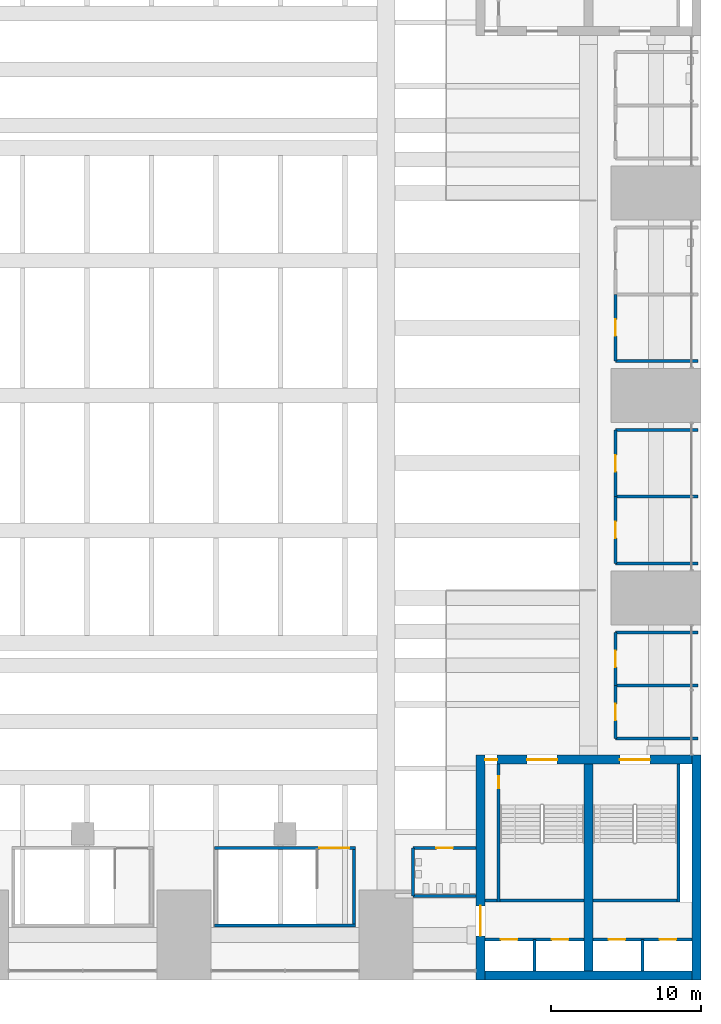
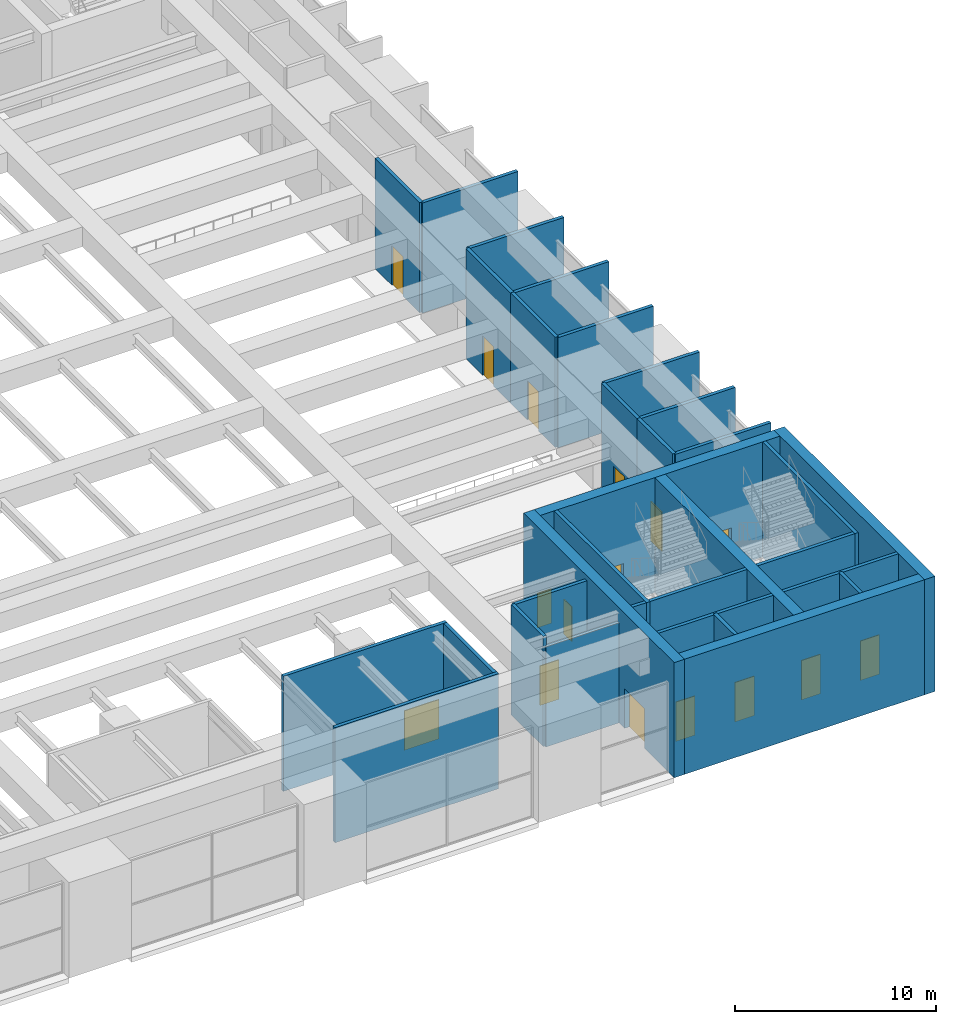
# One storey, part 28 of 45: 32 walls, 16 doors, 16 openings.
"""IFC4 building model written with IfcOpenShell, lengths in metres."""

from ifc_helpers import new_model, si_unit, direction, frame, frame_2d, origin, place, context, subcontext, project, spatial, rectangle, extrude, material, layer, layer_set, type_object, element, fill, save


model = new_model("IFC4")

# Units and contexts
model_context = context("Model", 3, precision=1e-05, world=origin(), true_north=direction((0.0, 1.0)))
body_context = subcontext(model_context, "Body", "Model", "MODEL_VIEW")
ifc_project = project(units=[si_unit("LENGTHUNIT", "METRE"), si_unit("AREAUNIT", "SQUARE_METRE"), si_unit("VOLUMEUNIT", "CUBIC_METRE"), si_unit("PLANEANGLEUNIT", "RADIAN"), si_unit("MASSUNIT", "GRAM", prefix="KILO")], contexts=[model_context])

# Site, building, storey
site_placement = place(None, origin())
site = spatial("IfcSite", under=ifc_project, at=site_placement, CompositionType="ELEMENT")
building_placement = place(site_placement, origin())
building = spatial("IfcBuilding", under=site, at=building_placement, Name="Corbelhall Arena Tower", CompositionType="ELEMENT")
storey_placement = place(building_placement, frame((0.0, 0.0, 37.0)))
storey = spatial("IfcBuildingStorey", under=building, at=storey_placement, Name="L05", CompositionType="ELEMENT", Elevation=37.0)

# Wall, opening, door
ifc_material_1 = material(Name="Gypsum board on steel studs", Category="steel")
ifc_layer_1 = layer(ifc_material_1, 0.199951171875)
ifc_layer_set_1 = layer_set([ifc_layer_1], Name="AR-ROOM-WALL")
wall_type_1 = type_object("IfcWallType", Name="AR-ROOM-WALL", PredefinedType="PARTITIONING", material=ifc_layer_set_1)
wall_1_placement = place(storey_placement, frame((42.300048828125, 2.300048828125, 0.0), z_axis=(0.0, 0.0, 1.0), x_axis=(0.0, 1.0, 0.0)))
wall_1 = element("IfcWall", 1, at=wall_1_placement, inside=storey, type_object=wall_type_1, Name="Press office 1 wall", PredefinedType="PARTITIONING", context=body_context, shape_type="SweptSolid", body=[
    extrude(rectangle(XDim=4.449951171875, YDim=0.199951171875, at=frame_2d((2.22509765625, 0.0))), origin(), (0.0, 0.0, 1.0), 6.699951171875),
])
opening_1_placement = place(wall_1_placement, frame((1.675048828125, 0.0, 0.0)))
opening_1 = element("IfcOpeningElement", 2, at=opening_1_placement, cuts=wall_1, Name="Opening DA0439", PredefinedType="OPENING", context=body_context, shape_type="SweptSolid", body=[
    extrude(rectangle(XDim=1.10009765625, YDim=2.39990234375, at=frame_2d((0.550048828125, 1.199951171875))), frame((0.0, 0.10009765625, 0.0), z_axis=(0.0, -1.0, 0.0), x_axis=(1.0, 0.0, 0.0)), (0.0, 0.0, 1.0), 0.199951171875),
])
ifc_material_2 = material(Name="Timber", Category="wood")
door_type_1 = type_object("IfcDoorType", Name="AR-ROOM-DOOR", OperationType="DOUBLE_DOOR_SINGLE_SWING", PredefinedType="DOOR", material=ifc_material_2)
door_1_placement = place(opening_1_placement, origin())
door_1 = element("IfcDoor", 3, at=door_1_placement, inside=storey, type_object=door_type_1, Name="Press office 1 door", OperationType="DOUBLE_DOOR_SINGLE_SWING", OverallHeight=2.39990234375, OverallWidth=1.10009765625, PredefinedType="DOOR", context=body_context, shape_type="SweptSolid", body=[
    extrude(rectangle(XDim=1.10009765625, YDim=2.39990234375, at=frame_2d((0.550048828125, 1.199951171875))), frame((0.0, 0.02490234375, 0.0), z_axis=(0.0, -1.0, 0.0), x_axis=(1.0, 0.0, 0.0)), (0.0, 0.0, 1.0), 0.050048828125),
])
fill(opening_1, door_1)

# Wall
wall_2_placement = place(storey_placement, frame((42.300048828125, 2.300048828125, 0.0), z_axis=(0.0, 0.0, 1.0), x_axis=(1.0, 0.0, 0.0)))
element("IfcWall", 4, at=wall_2_placement, inside=storey, type_object=wall_type_1, Name="Press office 1 end wall", PredefinedType="PARTITIONING", context=body_context, shape_type="SweptSolid", body=[
    extrude(rectangle(XDim=5.5, YDim=0.199951171875, at=frame_2d((2.75, 0.0))), origin(), (0.0, 0.0, 1.0), 6.699951171875),
])

# Wall, opening, door
wall_3_placement = place(storey_placement, frame((42.300048828125, -11.199951171875, 0.0), z_axis=(0.0, 0.0, 1.0), x_axis=(0.0, 1.0, 0.0)))
wall_3 = element("IfcWall", 5, at=wall_3_placement, inside=storey, type_object=wall_type_1, Name="Press office 2 wall", PredefinedType="PARTITIONING", context=body_context, shape_type="SweptSolid", body=[
    extrude(rectangle(XDim=4.449951171875, YDim=0.199951171875, at=frame_2d((2.22509765625, 0.0))), origin(), (0.0, 0.0, 1.0), 6.699951171875),
])
opening_2_placement = place(wall_3_placement, frame((1.675048828125, 0.0, 0.0)))
opening_2 = element("IfcOpeningElement", 6, at=opening_2_placement, cuts=wall_3, Name="Opening DA0441", PredefinedType="OPENING", context=body_context, shape_type="SweptSolid", body=[
    extrude(rectangle(XDim=1.10009765625, YDim=2.39990234375, at=frame_2d((0.550048828125, 1.199951171875))), frame((0.0, 0.10009765625, 0.0), z_axis=(0.0, -1.0, 0.0), x_axis=(1.0, 0.0, 0.0)), (0.0, 0.0, 1.0), 0.199951171875),
])
door_2_placement = place(opening_2_placement, origin())
door_2 = element("IfcDoor", 7, at=door_2_placement, inside=storey, type_object=door_type_1, Name="Press office 2 door", OperationType="DOUBLE_DOOR_SINGLE_SWING", OverallHeight=2.39990234375, OverallWidth=1.10009765625, PredefinedType="DOOR", context=body_context, shape_type="SweptSolid", body=[
    extrude(rectangle(XDim=1.10009765625, YDim=2.39990234375, at=frame_2d((0.550048828125, 1.199951171875))), frame((0.0, 0.02490234375, 0.0), z_axis=(0.0, -1.0, 0.0), x_axis=(1.0, 0.0, 0.0)), (0.0, 0.0, 1.0), 0.050048828125),
])
fill(opening_2, door_2)

# Walls
for number, where, z_axis, x_axis, name in (
    (8, (42.300048828125, -11.199951171875, 0.0), (0.0, 0.0, 1.0), (1.0, 0.0, 0.0), "Press office 2 end wall"),
    (9, (42.300048828125, -6.75, 0.0), (0.0, 0.0, 1.0), (1.0, 0.0, 0.0), "Press office 2 partition"),
):
    element("IfcWall", number, at=place(storey_placement, frame(where, z_axis=z_axis, x_axis=x_axis)), inside=storey, type_object=wall_type_1, Name=name, PredefinedType="PARTITIONING", context=body_context, shape_type="SweptSolid", body=[
        extrude(rectangle(XDim=5.5, YDim=0.199951171875, at=frame_2d((2.75, 0.0))), origin(), (0.0, 0.0, 1.0), 6.699951171875),
    ])

# Wall, opening, door
wall_4_placement = place(storey_placement, frame((42.300048828125, -6.75, 0.0), z_axis=(0.0, 0.0, 1.0), x_axis=(0.0, 1.0, 0.0)))
wall_4 = element("IfcWall", 10, at=wall_4_placement, inside=storey, type_object=wall_type_1, Name="Broadcast office 1 wall", PredefinedType="PARTITIONING", context=body_context, shape_type="SweptSolid", body=[
    extrude(rectangle(XDim=4.449951171875, YDim=0.199951171875, at=frame_2d((2.22509765625, 0.0))), origin(), (0.0, 0.0, 1.0), 6.699951171875),
])
opening_3_placement = place(wall_4_placement, frame((1.675048828125, 0.0, 0.0)))
opening_3 = element("IfcOpeningElement", 11, at=opening_3_placement, cuts=wall_4, Name="Opening DA0442", PredefinedType="OPENING", context=body_context, shape_type="SweptSolid", body=[
    extrude(rectangle(XDim=1.10009765625, YDim=2.39990234375, at=frame_2d((0.550048828125, 1.199951171875))), frame((0.0, 0.10009765625, 0.0), z_axis=(0.0, -1.0, 0.0), x_axis=(1.0, 0.0, 0.0)), (0.0, 0.0, 1.0), 0.199951171875),
])
door_3_placement = place(opening_3_placement, origin())
door_3 = element("IfcDoor", 12, at=door_3_placement, inside=storey, type_object=door_type_1, Name="Broadcast office 1 door", OperationType="DOUBLE_DOOR_SINGLE_SWING", OverallHeight=2.39990234375, OverallWidth=1.10009765625, PredefinedType="DOOR", context=body_context, shape_type="SweptSolid", body=[
    extrude(rectangle(XDim=1.10009765625, YDim=2.39990234375, at=frame_2d((0.550048828125, 1.199951171875))), frame((0.0, 0.02490234375, 0.0), z_axis=(0.0, -1.0, 0.0), x_axis=(1.0, 0.0, 0.0)), (0.0, 0.0, 1.0), 0.050048828125),
])
fill(opening_3, door_3)

# Wall
wall_5_placement = place(storey_placement, frame((42.300048828125, -2.300048828125, 0.0), z_axis=(0.0, 0.0, 1.0), x_axis=(1.0, 0.0, 0.0)))
element("IfcWall", 13, at=wall_5_placement, inside=storey, type_object=wall_type_1, Name="Broadcast office 1 end wall", PredefinedType="PARTITIONING", context=body_context, shape_type="SweptSolid", body=[
    extrude(rectangle(XDim=5.5, YDim=0.199951171875, at=frame_2d((2.75, 0.0))), origin(), (0.0, 0.0, 1.0), 6.699951171875),
])

# Wall, opening, door
wall_6_placement = place(storey_placement, frame((42.300048828125, -22.89990234375, 0.0), z_axis=(0.0, 0.0, 1.0), x_axis=(0.0, 1.0, 0.0)))
wall_6 = element("IfcWall", 14, at=wall_6_placement, inside=storey, type_object=wall_type_1, Name="Broadcast office 2 wall", PredefinedType="PARTITIONING", context=body_context, shape_type="SweptSolid", body=[
    extrude(rectangle(XDim=3.5498046875, YDim=0.199951171875, at=frame_2d((1.77490234375, 0.0))), origin(), (0.0, 0.0, 1.0), 6.699951171875),
])
opening_4_placement = place(wall_6_placement, frame((1.22509765625, 0.0, 0.0)))
opening_4 = element("IfcOpeningElement", 15, at=opening_4_placement, cuts=wall_6, Name="Opening DA0445", PredefinedType="OPENING", context=body_context, shape_type="SweptSolid", body=[
    extrude(rectangle(XDim=1.10009765625, YDim=2.39990234375, at=frame_2d((0.550048828125, 1.199951171875))), frame((0.0, 0.10009765625, 0.0), z_axis=(0.0, -1.0, 0.0), x_axis=(1.0, 0.0, 0.0)), (0.0, 0.0, 1.0), 0.199951171875),
])
door_4_placement = place(opening_4_placement, origin())
door_4 = element("IfcDoor", 16, at=door_4_placement, inside=storey, type_object=door_type_1, Name="Broadcast office 2 door", OperationType="DOUBLE_DOOR_SINGLE_SWING", OverallHeight=2.39990234375, OverallWidth=1.10009765625, PredefinedType="DOOR", context=body_context, shape_type="SweptSolid", body=[
    extrude(rectangle(XDim=1.10009765625, YDim=2.39990234375, at=frame_2d((0.550048828125, 1.199951171875))), frame((0.0, 0.02490234375, 0.0), z_axis=(0.0, -1.0, 0.0), x_axis=(1.0, 0.0, 0.0)), (0.0, 0.0, 1.0), 0.050048828125),
])
fill(opening_4, door_4)

# Walls
for number, where, z_axis, x_axis, name in (
    (17, (42.300048828125, -22.89990234375, 0.0), (0.0, 0.0, 1.0), (1.0, 0.0, 0.0), "Broadcast office 2 end wall"),
    (18, (42.300048828125, -19.35009765625, 0.0), (0.0, 0.0, 1.0), (1.0, 0.0, 0.0), "Broadcast office 2 partition"),
):
    element("IfcWall", number, at=place(storey_placement, frame(where, z_axis=z_axis, x_axis=x_axis)), inside=storey, type_object=wall_type_1, Name=name, PredefinedType="PARTITIONING", context=body_context, shape_type="SweptSolid", body=[
        extrude(rectangle(XDim=5.5, YDim=0.199951171875, at=frame_2d((2.75, 0.0))), origin(), (0.0, 0.0, 1.0), 6.699951171875),
    ])

# Wall, opening, door
wall_7_placement = place(storey_placement, frame((42.300048828125, -19.35009765625, 0.0), z_axis=(0.0, 0.0, 1.0), x_axis=(0.0, 1.0, 0.0)))
wall_7 = element("IfcWall", 19, at=wall_7_placement, inside=storey, type_object=wall_type_1, Name="Press office 3 wall", PredefinedType="PARTITIONING", context=body_context, shape_type="SweptSolid", body=[
    extrude(rectangle(XDim=3.550048828125, YDim=0.199951171875, at=frame_2d((1.77490234375, 0.0))), origin(), (0.0, 0.0, 1.0), 6.699951171875),
])
opening_5_placement = place(wall_7_placement, frame((1.22509765625, 0.0, 0.0)))
opening_5 = element("IfcOpeningElement", 20, at=opening_5_placement, cuts=wall_7, Name="Opening DA0446", PredefinedType="OPENING", context=body_context, shape_type="SweptSolid", body=[
    extrude(rectangle(XDim=1.10009765625, YDim=2.39990234375, at=frame_2d((0.550048828125, 1.199951171875))), frame((0.0, 0.10009765625, 0.0), z_axis=(0.0, -1.0, 0.0), x_axis=(1.0, 0.0, 0.0)), (0.0, 0.0, 1.0), 0.199951171875),
])
door_5_placement = place(opening_5_placement, origin())
door_5 = element("IfcDoor", 21, at=door_5_placement, inside=storey, type_object=door_type_1, Name="Press office 3 door", OperationType="DOUBLE_DOOR_SINGLE_SWING", OverallHeight=2.39990234375, OverallWidth=1.10009765625, PredefinedType="DOOR", context=body_context, shape_type="SweptSolid", body=[
    extrude(rectangle(XDim=1.10009765625, YDim=2.39990234375, at=frame_2d((0.550048828125, 1.199951171875))), frame((0.0, 0.02490234375, 0.0), z_axis=(0.0, -1.0, 0.0), x_axis=(1.0, 0.0, 0.0)), (0.0, 0.0, 1.0), 0.050048828125),
])
fill(opening_5, door_5)

# Wall
wall_8_placement = place(storey_placement, frame((42.300048828125, -15.800048828125, 0.0), z_axis=(0.0, 0.0, 1.0), x_axis=(1.0, 0.0, 0.0)))
element("IfcWall", 22, at=wall_8_placement, inside=storey, type_object=wall_type_1, Name="Press office 3 end wall", PredefinedType="PARTITIONING", context=body_context, shape_type="SweptSolid", body=[
    extrude(rectangle(XDim=5.5, YDim=0.199951171875, at=frame_2d((2.75, 0.0))), origin(), (0.0, 0.0, 1.0), 6.699951171875),
])

# Wall, opening, door
wall_9_placement = place(storey_placement, frame((28.800048828125, -30.199951171875, 0.0), z_axis=(0.0, 0.0, 1.0), x_axis=(1.0, 0.0, 0.0)))
wall_9 = element("IfcWall", 23, at=wall_9_placement, inside=storey, type_object=wall_type_1, Name="Women's WC 3 wall", PredefinedType="PARTITIONING", context=body_context, shape_type="SweptSolid", body=[
    extrude(rectangle(XDim=4.199951171875, YDim=0.199951171875, at=frame_2d((2.10009765625, 0.0))), origin(), (0.0, 0.0, 1.0), 6.699951171875),
])
opening_6_placement = place(wall_9_placement, frame((1.550048828125, 0.0, 0.0)))
opening_6 = element("IfcOpeningElement", 24, at=opening_6_placement, cuts=wall_9, Name="Opening DA0457", PredefinedType="OPENING", context=body_context, shape_type="SweptSolid", body=[
    extrude(rectangle(XDim=1.10009765625, YDim=2.39990234375, at=frame_2d((0.550048828125, 1.199951171875))), frame((0.0, 0.10009765625, 0.0), z_axis=(0.0, -1.0, 0.0), x_axis=(1.0, 0.0, 0.0)), (0.0, 0.0, 1.0), 0.199951171875),
])
door_6_placement = place(opening_6_placement, origin())
door_6 = element("IfcDoor", 25, at=door_6_placement, inside=storey, type_object=door_type_1, Name="Women's WC 3 door", OperationType="DOUBLE_DOOR_SINGLE_SWING", OverallHeight=2.39990234375, OverallWidth=1.10009765625, PredefinedType="DOOR", context=body_context, shape_type="SweptSolid", body=[
    extrude(rectangle(XDim=1.10009765625, YDim=2.39990234375, at=frame_2d((0.550048828125, 1.199951171875))), frame((0.0, 0.02490234375, 0.0), z_axis=(0.0, -1.0, 0.0), x_axis=(1.0, 0.0, 0.0)), (0.0, 0.0, 1.0), 0.050048828125),
])
fill(opening_6, door_6)

# Walls
wall_10_placement = place(storey_placement, frame((28.800048828125, -33.39990234375, 0.0), z_axis=(0.0, 0.0, 1.0), x_axis=(0.0, 1.0, 0.0)))
element("IfcWall", 26, at=wall_10_placement, inside=storey, type_object=wall_type_1, Name="Women's WC 3 side wall", PredefinedType="PARTITIONING", context=body_context, shape_type="SweptSolid", body=[
    extrude(rectangle(XDim=3.199951171875, YDim=0.199951171875, at=frame_2d((1.60009765625, 0.0))), origin(), (0.0, 0.0, 1.0), 6.699951171875),
])
wall_11_placement = place(storey_placement, frame((33.60009765625, -33.699951171875, 0.0), z_axis=(0.0, 0.0, 1.0), x_axis=(1.0, 0.0, 0.0)))
element("IfcWall", 27, at=wall_11_placement, inside=storey, type_object=wall_type_1, Name="Electrical plant room 03 wall", PredefinedType="PARTITIONING", context=body_context, shape_type="SweptSolid", body=[
    extrude(rectangle(XDim=0.809814453125, YDim=0.199951171875, at=frame_2d((0.40478515625, 0.0))), origin(), (0.0, 0.0, 1.0), 7.0),
])
ifc_layer_2 = layer(ifc_material_1, 0.199951171875)
ifc_layer_set_2 = layer_set([ifc_layer_2], Name="AR-ROOM-WALL under beam 611 mm")
wall_type_2 = type_object("IfcWallType", Name="AR-ROOM-WALL under beam 611 mm", PredefinedType="PARTITIONING", material=ifc_layer_set_2)
wall_12_placement = place(storey_placement, frame((28.800048828125, -33.39990234375, 0.0), z_axis=(0.0, 0.0, 1.0), x_axis=(1.0, 0.0, 0.0)))
element("IfcWall", 28, at=wall_12_placement, inside=storey, type_object=wall_type_2, Name="Women's WC 3 far wall", PredefinedType="PARTITIONING", context=body_context, shape_type="SweptSolid", body=[
    extrude(rectangle(XDim=4.199951171875, YDim=0.199951171875, at=frame_2d((2.10009765625, 0.0))), origin(), (0.0, 0.0, 1.0), 6.089111328125),
])

# Wall, openings, doors
ifc_material_3 = material(Name="Reinforced concrete C40/50", Category="concrete")
ifc_layer_3 = layer(ifc_material_3, 0.199951171875)
ifc_layer_set_3 = layer_set([ifc_layer_3], Name="AR-SHAFT-WALL")
wall_type_3 = type_object("IfcWallType", Name="AR-SHAFT-WALL", PredefinedType="SHEAR", material=ifc_layer_set_3)
wall_13_placement = place(storey_placement, frame((33.60009765625, -36.300048828125, 0.0), z_axis=(0.0, 0.0, 1.0), x_axis=(1.0, 0.0, 0.0)))
wall_13 = element("IfcWall", 29, at=wall_13_placement, inside=storey, type_object=wall_type_3, Name="Lift lobby wall SE", PredefinedType="SHEAR", context=body_context, shape_type="SweptSolid", body=[
    extrude(rectangle(XDim=6.599853515625, YDim=0.199951171875, at=frame_2d((3.2998046875, 0.0))), origin(), (0.0, 0.0, 1.0), 7.0),
])
opening_7_placement = place(wall_13_placement, frame((1.050048828125, 0.0, 0.0)))
opening_7 = element("IfcOpeningElement", 30, at=opening_7_placement, cuts=wall_13, Name="Opening LD0230", PredefinedType="OPENING", context=body_context, shape_type="SweptSolid", body=[
    extrude(rectangle(XDim=1.10009765625, YDim=2.39990234375, at=frame_2d((0.550048828125, 1.199951171875))), frame((0.0, 0.10009765625, 0.0), z_axis=(0.0, -1.0, 0.0), x_axis=(1.0, 0.0, 0.0)), (0.0, 0.0, 1.0), 0.199951171875),
])
opening_8_placement = place(wall_13_placement, frame((4.449951171875, 0.0, 0.0)))
opening_8 = element("IfcOpeningElement", 31, at=opening_8_placement, cuts=wall_13, Name="Opening LD0231", PredefinedType="OPENING", context=body_context, shape_type="SweptSolid", body=[
    extrude(rectangle(XDim=1.10009765625, YDim=2.39990234375, at=frame_2d((0.550048828125, 1.199951171875))), frame((0.0, 0.10009765625, 0.0), z_axis=(0.0, -1.0, 0.0), x_axis=(1.0, 0.0, 0.0)), (0.0, 0.0, 1.0), 0.199951171875),
])
ifc_material_4 = material(Name="Stainless steel A4", Category="steel")
door_type_2 = type_object("IfcDoorType", Name="AR-LANDING-DOOR", OperationType="DOUBLE_DOOR_SLIDING", PredefinedType="DOOR", material=ifc_material_4)
door_7_placement = place(opening_7_placement, frame((1.10009765625, 0.0, 0.0), z_axis=(0.0, 0.0, 1.0), x_axis=(-1.0, 0.0, 0.0)))
door_7 = element("IfcDoor", 32, at=door_7_placement, inside=storey, type_object=door_type_2, Name="Landing door SE LF1 L05", OperationType="DOUBLE_DOOR_SLIDING", OverallHeight=2.39990234375, OverallWidth=1.10009765625, PredefinedType="DOOR", context=body_context, shape_type="SweptSolid", body=[
    extrude(rectangle(XDim=1.10009765625, YDim=2.39990234375, at=frame_2d((0.550048828125, 1.199951171875))), frame((0.0, 0.02490234375, 0.0), z_axis=(0.0, -1.0, 0.0), x_axis=(1.0, 0.0, 0.0)), (0.0, 0.0, 1.0), 0.050048828125),
])
fill(opening_7, door_7)
door_8_placement = place(opening_8_placement, frame((1.10009765625, 0.0, 0.0), z_axis=(0.0, 0.0, 1.0), x_axis=(-1.0, 0.0, 0.0)))
door_8 = element("IfcDoor", 33, at=door_8_placement, inside=storey, type_object=door_type_2, Name="Landing door SE LF2 L05", OperationType="DOUBLE_DOOR_SLIDING", OverallHeight=2.39990234375, OverallWidth=1.10009765625, PredefinedType="DOOR", context=body_context, shape_type="SweptSolid", body=[
    extrude(rectangle(XDim=1.10009765625, YDim=2.39990234375, at=frame_2d((0.550048828125, 1.199951171875))), frame((0.0, 0.02490234375, 0.0), z_axis=(0.0, -1.0, 0.0), x_axis=(1.0, 0.0, 0.0)), (0.0, 0.0, 1.0), 0.050048828125),
])
fill(opening_8, door_8)

wall_14_placement = place(storey_placement, frame((40.800048828125, -36.300048828125, 0.0), z_axis=(0.0, 0.0, 1.0), x_axis=(1.0, 0.0, 0.0)))
wall_14 = element("IfcWall", 34, at=wall_14_placement, inside=storey, type_object=wall_type_3, Name="Lift lobby wall SE", PredefinedType="SHEAR", context=body_context, shape_type="SweptSolid", body=[
    extrude(rectangle(XDim=6.599853515625, YDim=0.199951171875, at=frame_2d((3.2998046875, 0.0))), origin(), (0.0, 0.0, 1.0), 7.0),
])
opening_9_placement = place(wall_14_placement, frame((1.050048828125, 0.0, 0.0)))
opening_9 = element("IfcOpeningElement", 35, at=opening_9_placement, cuts=wall_14, Name="Opening LD0232", PredefinedType="OPENING", context=body_context, shape_type="SweptSolid", body=[
    extrude(rectangle(XDim=1.10009765625, YDim=2.39990234375, at=frame_2d((0.550048828125, 1.199951171875))), frame((0.0, 0.10009765625, 0.0), z_axis=(0.0, -1.0, 0.0), x_axis=(1.0, 0.0, 0.0)), (0.0, 0.0, 1.0), 0.199951171875),
])
opening_10_placement = place(wall_14_placement, frame((4.449951171875, 0.0, 0.0)))
opening_10 = element("IfcOpeningElement", 36, at=opening_10_placement, cuts=wall_14, Name="Opening LD0233", PredefinedType="OPENING", context=body_context, shape_type="SweptSolid", body=[
    extrude(rectangle(XDim=1.10009765625, YDim=2.39990234375, at=frame_2d((0.550048828125, 1.199951171875))), frame((0.0, 0.10009765625, 0.0), z_axis=(0.0, -1.0, 0.0), x_axis=(1.0, 0.0, 0.0)), (0.0, 0.0, 1.0), 0.199951171875),
])
door_9_placement = place(opening_9_placement, frame((1.10009765625, 0.0, 0.0), z_axis=(0.0, 0.0, 1.0), x_axis=(-1.0, 0.0, 0.0)))
door_9 = element("IfcDoor", 37, at=door_9_placement, inside=storey, type_object=door_type_2, Name="Landing door SE LF3 L05", OperationType="DOUBLE_DOOR_SLIDING", OverallHeight=2.39990234375, OverallWidth=1.10009765625, PredefinedType="DOOR", context=body_context, shape_type="SweptSolid", body=[
    extrude(rectangle(XDim=1.10009765625, YDim=2.39990234375, at=frame_2d((0.550048828125, 1.199951171875))), frame((0.0, 0.02490234375, 0.0), z_axis=(0.0, -1.0, 0.0), x_axis=(1.0, 0.0, 0.0)), (0.0, 0.0, 1.0), 0.050048828125),
])
fill(opening_9, door_9)
door_10_placement = place(opening_10_placement, frame((1.10009765625, 0.0, 0.0), z_axis=(0.0, 0.0, 1.0), x_axis=(-1.0, 0.0, 0.0)))
door_10 = element("IfcDoor", 38, at=door_10_placement, inside=storey, type_object=door_type_2, Name="Landing door SE LF4 L05", OperationType="DOUBLE_DOOR_SLIDING", OverallHeight=2.39990234375, OverallWidth=1.10009765625, PredefinedType="DOOR", context=body_context, shape_type="SweptSolid", body=[
    extrude(rectangle(XDim=1.10009765625, YDim=2.39990234375, at=frame_2d((0.550048828125, 1.199951171875))), frame((0.0, 0.02490234375, 0.0), z_axis=(0.0, -1.0, 0.0), x_axis=(1.0, 0.0, 0.0)), (0.0, 0.0, 1.0), 0.050048828125),
])
fill(opening_10, door_10)

# Walls
for number, where, z_axis, x_axis, name in (
    (39, (36.89990234375, -38.39990234375, 0.0), (0.0, 0.0, 1.0), (0.0, 1.0, 0.0), "Shaft wall SE"),
    (40, (44.10009765625, -38.39990234375, 0.0), (0.0, 0.0, 1.0), (0.0, 1.0, 0.0), "Shaft wall SE"),
):
    element("IfcWall", number, at=place(storey_placement, frame(where, z_axis=z_axis, x_axis=x_axis)), inside=storey, type_object=wall_type_3, Name=name, PredefinedType="SHEAR", context=body_context, shape_type="SweptSolid", body=[
        extrude(rectangle(XDim=2.099853515625, YDim=0.199951171875, at=frame_2d((1.0498046875, 0.0))), origin(), (0.0, 0.0, 1.0), 7.0),
    ])

# Wall, opening, door
ifc_layer_4 = layer(ifc_material_3, 0.199951171875)
ifc_layer_set_4 = layer_set([ifc_layer_4], Name="AR-STAIR-WALL")
wall_type_4 = type_object("IfcWallType", Name="AR-STAIR-WALL", PredefinedType="SOLIDWALL", material=ifc_layer_set_4)
wall_15_placement = place(storey_placement, frame((24.949951171875, -30.199951171875, 0.0), z_axis=(0.0, 0.0, 1.0), x_axis=(-1.0, 0.0, 0.0)))
wall_15 = element("IfcWall", 41, at=wall_15_placement, inside=storey, type_object=wall_type_4, Name="Stair AS16 wall", PredefinedType="SOLIDWALL", context=body_context, shape_type="SweptSolid", body=[
    extrude(rectangle(XDim=9.39990234375, YDim=0.199951171875, at=frame_2d((4.699951171875, 0.0))), origin(), (0.0, 0.0, 1.0), 7.0),
])
opening_11_placement = place(wall_15_placement, frame((0.39990234375, 0.0, 0.0)))
opening_11 = element("IfcOpeningElement", 42, at=opening_11_placement, cuts=wall_15, Name="Opening DA0048", PredefinedType="OPENING", context=body_context, shape_type="SweptSolid", body=[
    extrude(rectangle(XDim=2.0, YDim=2.39990234375, at=frame_2d((1.0, 1.199951171875))), frame((0.0, 0.10009765625, 0.0), z_axis=(0.0, -1.0, 0.0), x_axis=(1.0, 0.0, 0.0)), (0.0, 0.0, 1.0), 0.199951171875),
])
ifc_material_5 = material(Name="Steel and glass", Category="steel")
door_type_3 = type_object("IfcDoorType", Name="AR-STAIR-DOOR", OperationType="DOUBLE_DOOR_SINGLE_SWING", PredefinedType="DOOR", material=ifc_material_5)
door_11_placement = place(opening_11_placement, origin())
door_11 = element("IfcDoor", 43, at=door_11_placement, inside=storey, type_object=door_type_3, Name="Stair AS16 door", OperationType="DOUBLE_DOOR_SINGLE_SWING", OverallHeight=2.39990234375, OverallWidth=2.0, PredefinedType="DOOR", context=body_context, shape_type="SweptSolid", body=[
    extrude(rectangle(XDim=2.0, YDim=2.39990234375, at=frame_2d((1.0, 1.199951171875))), frame((0.0, 0.02490234375, 0.0), z_axis=(0.0, -1.0, 0.0), x_axis=(1.0, 0.0, 0.0)), (0.0, 0.0, 1.0), 0.050048828125),
])
fill(opening_11, door_11)

# Walls
wall_16_placement = place(storey_placement, frame((15.550048828125, -35.35009765625, 0.0), z_axis=(0.0, 0.0, 1.0), x_axis=(1.0, 0.0, 0.0)))
element("IfcWall", 44, at=wall_16_placement, inside=storey, type_object=wall_type_4, Name="Stair AS16 wall", PredefinedType="SOLIDWALL", context=body_context, shape_type="SweptSolid", body=[
    extrude(rectangle(XDim=9.39990234375, YDim=0.199951171875, at=frame_2d((4.699951171875, 0.0))), origin(), (0.0, 0.0, 1.0), 7.0),
])
wall_17_placement = place(storey_placement, frame((24.85009765625, -35.25, 0.0), z_axis=(0.0, 0.0, 1.0), x_axis=(0.0, 1.0, 0.0)))
element("IfcWall", 45, at=wall_17_placement, inside=storey, type_object=wall_type_4, Name="Stair AS16 wall", PredefinedType="SOLIDWALL", context=body_context, shape_type="SweptSolid", body=[
    extrude(rectangle(XDim=4.949951171875, YDim=0.199951171875, at=frame_2d((2.47509765625, 0.0))), origin(), (0.0, 0.0, 1.0), 7.0),
])

# Wall, opening, door
wall_18_placement = place(storey_placement, frame((34.510009765625, -33.800048828125, 0.0), z_axis=(0.0, 0.0, 1.0), x_axis=(0.0, 1.0, 0.0)))
wall_18 = element("IfcWall", 46, at=wall_18_placement, inside=storey, type_object=wall_type_4, Name="Stair AS5 wall", PredefinedType="SOLIDWALL", context=body_context, shape_type="SweptSolid", body=[
    extrude(rectangle(XDim=9.199951171875, YDim=0.199951171875, at=frame_2d((4.60009765625, 0.0))), origin(), (0.0, 0.0, 1.0), 7.0),
])
opening_12_placement = place(wall_18_placement, frame((7.60009765625, 0.0, 0.0)))
opening_12 = element("IfcOpeningElement", 47, at=opening_12_placement, cuts=wall_18, Name="Opening DA0480", PredefinedType="OPENING", context=body_context, shape_type="SweptSolid", body=[
    extrude(rectangle(XDim=0.800048828125, YDim=2.10009765625, at=frame_2d((0.39990234375, 1.050048828125))), frame((0.0, 0.10009765625, 0.0), z_axis=(0.0, -1.0, 0.0), x_axis=(1.0, 0.0, 0.0)), (0.0, 0.0, 1.0), 0.199951171875),
])
ifc_material_6 = material(Name="Steel", Category="steel")
door_type_4 = type_object("IfcDoorType", Name="AR-PLANT-DOOR", OperationType="SINGLE_SWING_LEFT", PredefinedType="DOOR", material=ifc_material_6)
door_12_placement = place(opening_12_placement, origin())
door_12 = element("IfcDoor", 48, at=door_12_placement, inside=storey, type_object=door_type_4, Name="Electrical plant room 03 stair door", OperationType="SINGLE_SWING_LEFT", OverallHeight=2.10009765625, OverallWidth=0.800048828125, PredefinedType="DOOR", context=body_context, shape_type="SweptSolid", body=[
    extrude(rectangle(XDim=0.800048828125, YDim=2.10009765625, at=frame_2d((0.39990234375, 1.050048828125))), frame((0.0, 0.02490234375, 0.0), z_axis=(0.0, -1.0, 0.0), x_axis=(1.0, 0.0, 0.0)), (0.0, 0.0, 1.0), 0.050048828125),
])
fill(opening_12, door_12)

# Walls
wall_19_placement = place(storey_placement, frame((34.610107421875, -33.699951171875, 0.0), z_axis=(0.0, 0.0, 1.0), x_axis=(1.0, 0.0, 0.0)))
element("IfcWall", 49, at=wall_19_placement, inside=storey, type_object=wall_type_4, Name="Stair AS5 wall", PredefinedType="SOLIDWALL", context=body_context, shape_type="SweptSolid", body=[
    extrude(rectangle(XDim=5.58984375, YDim=0.199951171875, at=frame_2d((2.794921875, 0.0))), origin(), (0.0, 0.0, 1.0), 7.0),
])
wall_20_placement = place(storey_placement, frame((46.489990234375, -33.800048828125, 0.0), z_axis=(0.0, 0.0, 1.0), x_axis=(0.0, 1.0, 0.0)))
element("IfcWall", 50, at=wall_20_placement, inside=storey, type_object=wall_type_4, Name="Stair AS6 wall", PredefinedType="SOLIDWALL", context=body_context, shape_type="SweptSolid", body=[
    extrude(rectangle(XDim=9.199951171875, YDim=0.199951171875, at=frame_2d((4.60009765625, 0.0))), origin(), (0.0, 0.0, 1.0), 7.0),
])
wall_21_placement = place(storey_placement, frame((40.800048828125, -33.699951171875, 0.0), z_axis=(0.0, 0.0, 1.0), x_axis=(1.0, 0.0, 0.0)))
element("IfcWall", 51, at=wall_21_placement, inside=storey, type_object=wall_type_4, Name="Stair AS6 wall", PredefinedType="SOLIDWALL", context=body_context, shape_type="SweptSolid", body=[
    extrude(rectangle(XDim=5.58984375, YDim=0.199951171875, at=frame_2d((2.794921875, 0.0))), origin(), (0.0, 0.0, 1.0), 7.0),
])

# Wall, openings, doors
ifc_material_7 = material(Name="Concrete C80/95", Category="concrete")
ifc_layer_5 = layer(ifc_material_7, 0.60009765625)
ifc_layer_set_5 = layer_set([ifc_layer_5], Name="PO-CORE-WALL")
wall_type_5 = type_object("IfcWallType", Name="PO-CORE-WALL", PredefinedType="SHEAR", material=ifc_layer_set_5)
wall_22_placement = place(storey_placement, frame((33.60009765625, -24.300048828125, 0.0), z_axis=(0.0, 0.0, 1.0), x_axis=(1.0, 0.0, 0.0)))
wall_22 = element("IfcWall", 52, at=wall_22_placement, inside=storey, type_object=wall_type_5, Name="CORE SE WALL N L05", PredefinedType="SHEAR", context=body_context, shape_type="SweptSolid", body=[
    extrude(rectangle(XDim=13.7998046875, YDim=0.60009765625, at=frame_2d((6.89990234375, 0.0))), origin(), (0.0, 0.0, 1.0), 7.0),
])
opening_13_placement = place(wall_22_placement, frame((2.804931640625, 0.0, 0.0)))
opening_13 = element("IfcOpeningElement", 53, at=opening_13_placement, cuts=wall_22, Name="Opening DA0090", PredefinedType="OPENING", context=body_context, shape_type="SweptSolid", body=[
    extrude(rectangle(XDim=2.0, YDim=2.39990234375, at=frame_2d((1.0, 1.199951171875))), frame((0.0, 0.300048828125, 0.0), z_axis=(0.0, -1.0, 0.0), x_axis=(1.0, 0.0, 0.0)), (0.0, 0.0, 1.0), 0.60009765625),
])
opening_14_placement = place(wall_22_placement, frame((8.9951171875, 0.0, 0.0)))
opening_14 = element("IfcOpeningElement", 54, at=opening_14_placement, cuts=wall_22, Name="Opening DA0098", PredefinedType="OPENING", context=body_context, shape_type="SweptSolid", body=[
    extrude(rectangle(XDim=2.0, YDim=2.39990234375, at=frame_2d((1.0, 1.199951171875))), frame((0.0, 0.300048828125, 0.0), z_axis=(0.0, -1.0, 0.0), x_axis=(1.0, 0.0, 0.0)), (0.0, 0.0, 1.0), 0.60009765625),
])
opening_15_placement = place(wall_22_placement, frame((0.0048828125, 0.0, 0.0)))
opening_15 = element("IfcOpeningElement", 55, at=opening_15_placement, cuts=wall_22, Name="Opening DA0479", PredefinedType="OPENING", context=body_context, shape_type="SweptSolid", body=[
    extrude(rectangle(XDim=0.800048828125, YDim=2.10009765625, at=frame_2d((0.39990234375, 1.050048828125))), frame((0.0, 0.300048828125, 0.0), z_axis=(0.0, -1.0, 0.0), x_axis=(1.0, 0.0, 0.0)), (0.0, 0.0, 1.0), 0.60009765625),
])
door_13_placement = place(opening_15_placement, origin())
door_13 = element("IfcDoor", 56, at=door_13_placement, inside=storey, type_object=door_type_4, Name="Electrical plant room 03 door", OperationType="SINGLE_SWING_LEFT", OverallHeight=2.10009765625, OverallWidth=0.800048828125, PredefinedType="DOOR", context=body_context, shape_type="SweptSolid", body=[
    extrude(rectangle(XDim=0.800048828125, YDim=2.10009765625, at=frame_2d((0.39990234375, 1.050048828125))), frame((0.0, 0.02490234375, 0.0), z_axis=(0.0, -1.0, 0.0), x_axis=(1.0, 0.0, 0.0)), (0.0, 0.0, 1.0), 0.050048828125),
])
fill(opening_15, door_13)
door_14_placement = place(opening_13_placement, frame((2.0, 0.0, 0.0), z_axis=(0.0, 0.0, 1.0), x_axis=(-1.0, 0.0, 0.0)))
door_14 = element("IfcDoor", 57, at=door_14_placement, inside=storey, type_object=door_type_3, Name="Stair AS5 door", OperationType="DOUBLE_DOOR_SINGLE_SWING", OverallHeight=2.39990234375, OverallWidth=2.0, PredefinedType="DOOR", context=body_context, shape_type="SweptSolid", body=[
    extrude(rectangle(XDim=2.0, YDim=2.39990234375, at=frame_2d((1.0, 1.199951171875))), frame((0.0, 0.02490234375, 0.0), z_axis=(0.0, -1.0, 0.0), x_axis=(1.0, 0.0, 0.0)), (0.0, 0.0, 1.0), 0.050048828125),
])
fill(opening_13, door_14)
door_15_placement = place(opening_14_placement, frame((2.0, 0.0, 0.0), z_axis=(0.0, 0.0, 1.0), x_axis=(-1.0, 0.0, 0.0)))
door_15 = element("IfcDoor", 58, at=door_15_placement, inside=storey, type_object=door_type_3, Name="Stair AS6 door", OperationType="DOUBLE_DOOR_SINGLE_SWING", OverallHeight=2.39990234375, OverallWidth=2.0, PredefinedType="DOOR", context=body_context, shape_type="SweptSolid", body=[
    extrude(rectangle(XDim=2.0, YDim=2.39990234375, at=frame_2d((1.0, 1.199951171875))), frame((0.0, 0.02490234375, 0.0), z_axis=(0.0, -1.0, 0.0), x_axis=(1.0, 0.0, 0.0)), (0.0, 0.0, 1.0), 0.050048828125),
])
fill(opening_14, door_15)

# Wall
wall_23_placement = place(storey_placement, frame((33.60009765625, -38.699951171875, 0.0), z_axis=(0.0, 0.0, 1.0), x_axis=(1.0, 0.0, 0.0)))
element("IfcWall", 59, at=wall_23_placement, inside=storey, type_object=wall_type_5, Name="CORE SE WALL S L05", PredefinedType="SHEAR", context=body_context, shape_type="SweptSolid", body=[
    extrude(rectangle(XDim=13.7998046875, YDim=0.60009765625, at=frame_2d((6.89990234375, 0.0))), origin(), (0.0, 0.0, 1.0), 7.0),
])

# Wall, opening, door
wall_24_placement = place(storey_placement, frame((33.300048828125, -39.0, 0.0), z_axis=(0.0, 0.0, 1.0), x_axis=(0.0, 1.0, 0.0)))
wall_24 = element("IfcWall", 60, at=wall_24_placement, inside=storey, type_object=wall_type_5, Name="CORE SE WALL W L05", PredefinedType="SHEAR", context=body_context, shape_type="SweptSolid", body=[
    extrude(rectangle(XDim=15.0, YDim=0.60009765625, at=frame_2d((7.5, 0.0))), origin(), (0.0, 0.0, 1.0), 7.0),
])
opening_16_placement = place(wall_24_placement, frame((2.949951171875, 0.0, 0.0)))
opening_16 = element("IfcOpeningElement", 61, at=opening_16_placement, cuts=wall_24, Name="Opening DA0234", PredefinedType="OPENING", context=body_context, shape_type="SweptSolid", body=[
    extrude(rectangle(XDim=2.0, YDim=2.39990234375, at=frame_2d((1.0, 1.199951171875))), frame((0.0, 0.300048828125, 0.0), z_axis=(0.0, -1.0, 0.0), x_axis=(1.0, 0.0, 0.0)), (0.0, 0.0, 1.0), 0.60009765625),
])
door_type_5 = type_object("IfcDoorType", Name="AR-CORE-DOOR", OperationType="DOUBLE_DOOR_SINGLE_SWING", PredefinedType="DOOR", material=ifc_material_5)
door_16_placement = place(opening_16_placement, origin())
door_16 = element("IfcDoor", 62, at=door_16_placement, inside=storey, type_object=door_type_5, Name="Core lobby door SE L05", OperationType="DOUBLE_DOOR_SINGLE_SWING", OverallHeight=2.39990234375, OverallWidth=2.0, PredefinedType="DOOR", context=body_context, shape_type="SweptSolid", body=[
    extrude(rectangle(XDim=2.0, YDim=2.39990234375, at=frame_2d((1.0, 1.199951171875))), frame((0.0, 0.02490234375, 0.0), z_axis=(0.0, -1.0, 0.0), x_axis=(1.0, 0.0, 0.0)), (0.0, 0.0, 1.0), 0.050048828125),
])
fill(opening_16, door_16)

# Walls
wall_25_placement = place(storey_placement, frame((47.699951171875, -39.0, 0.0), z_axis=(0.0, 0.0, 1.0), x_axis=(0.0, 1.0, 0.0)))
element("IfcWall", 63, at=wall_25_placement, inside=storey, type_object=wall_type_5, Name="CORE SE WALL E L05", PredefinedType="SHEAR", context=body_context, shape_type="SweptSolid", body=[
    extrude(rectangle(XDim=15.0, YDim=0.60009765625, at=frame_2d((7.5, 0.0))), origin(), (0.0, 0.0, 1.0), 7.0),
])
wall_26_placement = place(storey_placement, frame((40.5, -38.39990234375, 0.0), z_axis=(0.0, 0.0, 1.0), x_axis=(0.0, 1.0, 0.0)))
element("IfcWall", 64, at=wall_26_placement, inside=storey, type_object=wall_type_5, Name="CORE SE WALL D L05", PredefinedType="SHEAR", context=body_context, shape_type="SweptSolid", body=[
    extrude(rectangle(XDim=13.7998046875, YDim=0.60009765625, at=frame_2d((6.89990234375, 0.0))), origin(), (0.0, 0.0, 1.0), 7.0),
])

save(model, "model.ifc")
